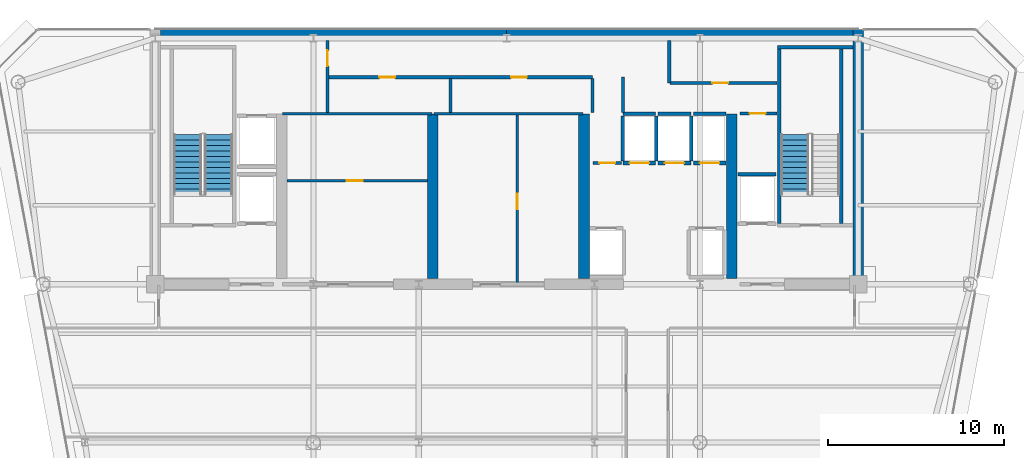
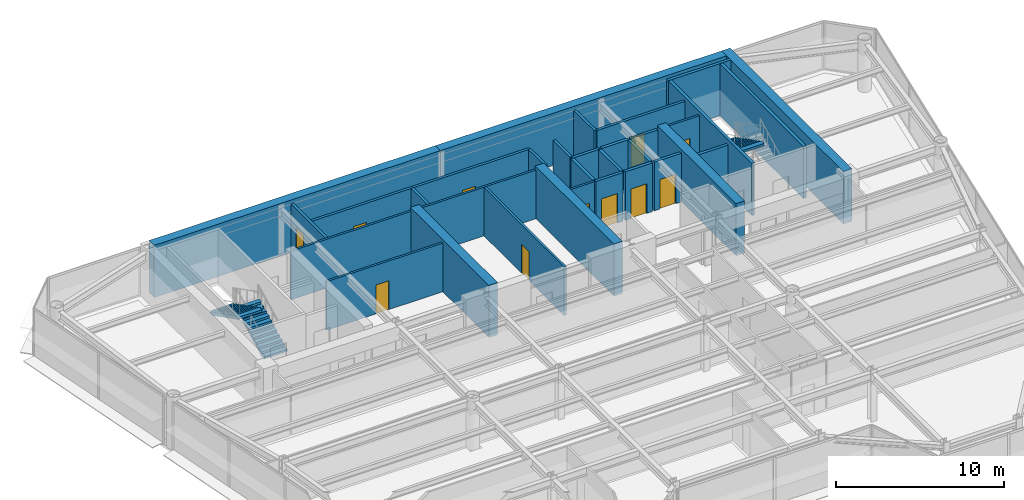
# One storey, part 12 of 17: 32 walls, 11 doors, 3 stair flights, 11 openings, 2 elements without a shape of their own.
"""IFC4 building model written with IfcOpenShell, lengths in metres."""

from ifc_helpers import new_model, si_unit, direction, frame, frame_2d, origin, place, context, subcontext, project, spatial, polyline, rectangle, outline, extrude, source, transform, mapped, material, layer, layer_set, type_object, element, fill, aggregate, save


model = new_model("IFC4")

# Units and contexts
model_context = context("Model", 3, precision=1e-05, world=origin(), true_north=direction((0.0, 1.0)))
body_context = subcontext(model_context, "Body", "Model", "MODEL_VIEW")
ifc_project = project(units=[si_unit("LENGTHUNIT", "METRE"), si_unit("AREAUNIT", "SQUARE_METRE"), si_unit("VOLUMEUNIT", "CUBIC_METRE"), si_unit("PLANEANGLEUNIT", "RADIAN"), si_unit("MASSUNIT", "GRAM", prefix="KILO")], contexts=[model_context])

# Site, building, storey
site_placement = place(None, origin())
site = spatial("IfcSite", under=ifc_project, at=site_placement, CompositionType="ELEMENT")
building_placement = place(site_placement, origin())
building = spatial("IfcBuilding", under=site, at=building_placement, Name="Vaeldorn Concourse Tower", CompositionType="ELEMENT")
storey_placement = place(building_placement, frame((0.0, 0.0, 214.60009765625)))
storey = spatial("IfcBuildingStorey", under=building, at=storey_placement, Name="L55", CompositionType="ELEMENT", Elevation=214.60009765625)

# Walls
ifc_material_1 = material(Name="Concrete C50/60", Category="concrete")
ifc_layer_1 = layer(ifc_material_1, 0.60009765625)
ifc_layer_set_1 = layer_set([ifc_layer_1], Name="Concrete C50/60")
wall_type_1 = type_object("IfcWallType", Name="WL-CORE-600", PredefinedType="SHEAR", material=ifc_layer_set_1)
for number, where, z_axis, x_axis, name in (
    (1, (14.303955078125, 50.699951171875, 0.0), (0.0, 0.0, 1.0), (1.0, 0.0, 0.0), "Rear Core Shear Wall L55 N1"),
    (2, (34.001953125, 50.699951171875, 0.0), (0.0, 0.0, 1.0), (1.0, 0.0, 0.0), "Rear Core Shear Wall L55 N2"),
):
    element("IfcWall", number, at=place(storey_placement, frame(where, z_axis=z_axis, x_axis=x_axis)), inside=storey, type_object=wall_type_1, Name=name, PredefinedType="SHEAR", context=body_context, shape_type="SweptSolid", body=[
        extrude(rectangle(XDim=19.694091796875, YDim=0.60009765625, at=frame_2d((9.84716796875, 0.0))), origin(), (0.0, 0.0, 1.0), 3.7998046875),
    ])
wall_1_placement = place(storey_placement, frame((54.0, 36.5, 0.0), z_axis=(0.0, 0.0, 1.0), x_axis=(0.0, 1.0, 0.0)))
element("IfcWall", 3, at=wall_1_placement, inside=storey, type_object=wall_type_1, Name="Rear Core Shear Wall L55 E1", PredefinedType="SHEAR", context=body_context, shape_type="SweptSolid", body=[
    extrude(rectangle(XDim=14.5, YDim=0.60009765625, at=frame_2d((7.25, 0.0))), origin(), (0.0, 0.0, 1.0), 3.7998046875),
])
for number, where, z_axis, x_axis, name in (
    (4, (29.800048828125, 36.820068359375, 0.0), (0.0, 0.0, 1.0), (0.0, 1.0, 0.0), "Rear Core Shear Wall L55 M2"),
    (5, (38.39990234375, 36.820068359375, 0.0), (0.0, 0.0, 1.0), (0.0, 1.0, 0.0), "Rear Core Shear Wall L55 M3"),
    (6, (46.800048828125, 36.820068359375, 0.0), (0.0, 0.0, 1.0), (0.0, 1.0, 0.0), "Rear Core Shear Wall L55 M4"),
):
    element("IfcWall", number, at=place(storey_placement, frame(where, z_axis=z_axis, x_axis=x_axis)), inside=storey, type_object=wall_type_1, Name=name, PredefinedType="SHEAR", context=body_context, shape_type="SweptSolid", body=[
        extrude(rectangle(XDim=9.3798828125, YDim=0.60009765625, at=frame_2d((4.68994140625, 0.0))), origin(), (0.0, 0.0, 1.0), 3.7998046875),
    ])
ifc_material_2 = material(Name="Gypsum Board Partition", Category="gypsum")
ifc_layer_2 = layer(ifc_material_2, 0.14990234375)
ifc_layer_set_2 = layer_set([ifc_layer_2], Name="Gypsum Board Partition")
wall_type_2 = type_object("IfcWallType", Name="WL-PART-150", PredefinedType="PARTITIONING", material=ifc_layer_set_2)
wall_2_placement = place(storey_placement, frame((21.25, 46.199951171875, 0.0), z_axis=(0.0, 0.0, 1.0), x_axis=(1.0, 0.0, 0.0)))
element("IfcWall", 7, at=wall_2_placement, inside=storey, type_object=wall_type_2, Name="Interior Wall CW-L55-R1N", PredefinedType="PARTITIONING", context=body_context, shape_type="SweptSolid", body=[
    extrude(rectangle(XDim=8.5, YDim=0.14990234375, at=frame_2d((4.25, 0.0))), origin(), (0.0, 0.0, 1.0), 3.539794921875),
])

# Wall, opening, door
wall_3_placement = place(storey_placement, frame((21.5, 42.39990234375, 0.0), z_axis=(0.0, 0.0, 1.0), x_axis=(1.0, 0.0, 0.0)))
wall_3 = element("IfcWall", 8, at=wall_3_placement, inside=storey, type_object=wall_type_2, Name="Interior Wall CW-L55-R1M", PredefinedType="PARTITIONING", context=body_context, shape_type="SweptSolid", body=[
    extrude(rectangle(XDim=8.0, YDim=0.14990234375, at=frame_2d((4.0, 0.0))), origin(), (0.0, 0.0, 1.0), 3.539794921875),
])
opening_1_placement = place(wall_3_placement, frame((3.39990234375, 0.0, 0.0)))
opening_1 = element("IfcOpeningElement", 9, at=opening_1_placement, cuts=wall_3, Name="Opening D-02", PredefinedType="OPENING", context=body_context, shape_type="SweptSolid", body=[
    extrude(rectangle(XDim=0.89990234375, YDim=2.10009765625, at=frame_2d((0.449951171875, 1.050048828125))), frame((0.0, 0.0849609375, 0.0), z_axis=(0.0, -1.0, 0.0), x_axis=(1.0, 0.0, 0.0)), (0.0, 0.0, 1.0), 0.169921875),
])
ifc_material_3 = material(Name="Fire-Rated Timber Leaf", Category="wood")
door_type_1 = type_object("IfcDoorType", Name="DR-FD30-900", OperationType="NOTDEFINED", PredefinedType="DOOR", material=ifc_material_3)
shared_shape_1 = source(origin(), body_context, "Body", "SweptSolid", [
    extrude(rectangle(XDim=0.89990234375, YDim=2.10009765625, at=frame_2d((0.449951171875, 1.050048828125))), frame((0.0, 0.02490234375, 0.0), z_axis=(0.0, -1.0, 0.0), x_axis=(1.0, 0.0, 0.0)), (0.0, 0.0, 1.0), 0.050048828125),
])
door_1_placement = place(opening_1_placement, origin())
door_1 = element("IfcDoor", 10, at=door_1_placement, inside=storey, type_object=door_type_1, Name="Interior Door DR-L55-R1M", OperationType="SINGLE_SWING_RIGHT", OverallHeight=2.10009765625, OverallWidth=0.89990234375, PredefinedType="DOOR", context=body_context, shape_type="MappedRepresentation", body=[
    mapped(shared_shape_1, transform((0.0, 0.0, 0.0), scale=1.0)),
])
fill(opening_1, door_1)

# Wall
wall_4_placement = place(storey_placement, frame((29.85009765625, 46.199951171875, 0.0), z_axis=(0.0, 0.0, 1.0), x_axis=(1.0, 0.0, 0.0)))
element("IfcWall", 11, at=wall_4_placement, inside=storey, type_object=wall_type_2, Name="Interior Wall CW-L55-R2N", PredefinedType="PARTITIONING", context=body_context, shape_type="SweptSolid", body=[
    extrude(rectangle(XDim=8.5, YDim=0.14990234375, at=frame_2d((4.25, 0.0))), origin(), (0.0, 0.0, 1.0), 3.539794921875),
])

# Wall, opening, door
wall_5_placement = place(storey_placement, frame((34.60009765625, 36.56005859375, 0.0), z_axis=(0.0, 0.0, 1.0), x_axis=(0.0, 1.0, 0.0)))
wall_5 = element("IfcWall", 12, at=wall_5_placement, inside=storey, type_object=wall_type_2, Name="Interior Wall CW-L55-R2M", PredefinedType="PARTITIONING", context=body_context, shape_type="SweptSolid", body=[
    extrude(rectangle(XDim=9.579833984375, YDim=0.14990234375, at=frame_2d((4.7900390625, 0.0))), origin(), (0.0, 0.0, 1.0), 3.539794921875),
])
opening_2_placement = place(wall_5_placement, frame((4.199951171875, 0.0, 0.0)))
opening_2 = element("IfcOpeningElement", 13, at=opening_2_placement, cuts=wall_5, Name="Opening D-02", PredefinedType="OPENING", context=body_context, shape_type="SweptSolid", body=[
    extrude(rectangle(XDim=0.89990234375, YDim=2.10009765625, at=frame_2d((0.449951171875, 1.050048828125))), frame((0.0, 0.0849609375, 0.0), z_axis=(0.0, -1.0, 0.0), x_axis=(1.0, 0.0, 0.0)), (0.0, 0.0, 1.0), 0.169921875),
])
door_2_placement = place(opening_2_placement, origin())
door_2 = element("IfcDoor", 14, at=door_2_placement, inside=storey, type_object=door_type_1, Name="Interior Door DR-L55-R2E", OperationType="SINGLE_SWING_RIGHT", OverallHeight=2.10009765625, OverallWidth=0.89990234375, PredefinedType="DOOR", context=body_context, shape_type="MappedRepresentation", body=[
    mapped(shared_shape_1, transform((0.0, 0.0, 0.0), scale=1.0)),
])
fill(opening_2, door_2)

wall_6_placement = place(storey_placement, frame((47.280029296875, 46.219970703125, 0.0), z_axis=(0.0, 0.0, 1.0), x_axis=(1.0, 0.0, 0.0)))
wall_6 = element("IfcWall", 15, at=wall_6_placement, inside=storey, type_object=wall_type_2, Name="Interior Wall CW-L55-CRSE-N", PredefinedType="PARTITIONING", context=body_context, shape_type="SweptSolid", body=[
    extrude(rectangle(XDim=2.099853515625, YDim=0.14990234375, at=frame_2d((1.0498046875, 0.0))), origin(), (0.0, 0.0, 1.0), 3.539794921875),
])
opening_3_placement = place(wall_6_placement, frame((0.550048828125, 0.0, 0.0)))
opening_3 = element("IfcOpeningElement", 16, at=opening_3_placement, cuts=wall_6, Name="Opening D-02", PredefinedType="OPENING", context=body_context, shape_type="SweptSolid", body=[
    extrude(rectangle(XDim=0.89990234375, YDim=2.10009765625, at=frame_2d((0.449951171875, 1.050048828125))), frame((0.0, 0.0849609375, 0.0), z_axis=(0.0, -1.0, 0.0), x_axis=(1.0, 0.0, 0.0)), (0.0, 0.0, 1.0), 0.169921875),
])
door_3_placement = place(opening_3_placement, origin())
door_3 = element("IfcDoor", 17, at=door_3_placement, inside=storey, type_object=door_type_1, Name="Interior Door DR-L55-CRSE", OperationType="SINGLE_SWING_RIGHT", OverallHeight=2.10009765625, OverallWidth=0.89990234375, PredefinedType="DOOR", context=body_context, shape_type="MappedRepresentation", body=[
    mapped(shared_shape_1, transform((0.0, 0.0, 0.0), scale=1.0)),
])
fill(opening_3, door_3)

wall_7_placement = place(storey_placement, frame((38.919921875, 43.39990234375, 0.0), z_axis=(0.0, 0.0, 1.0), x_axis=(1.0, 0.0, 0.0)))
wall_7 = element("IfcWall", 18, at=wall_7_placement, inside=storey, type_object=wall_type_2, Name="Interior Wall CW-L55-CCLINK", PredefinedType="PARTITIONING", context=body_context, shape_type="SweptSolid", body=[
    extrude(rectangle(XDim=1.60009765625, YDim=0.14990234375, at=frame_2d((0.800048828125, 0.0))), origin(), (0.0, 0.0, 1.0), 3.539794921875),
])
opening_4_placement = place(wall_7_placement, frame((0.35009765625, 0.0, 0.0)))
opening_4 = element("IfcOpeningElement", 19, at=opening_4_placement, cuts=wall_7, Name="Opening D-02", PredefinedType="OPENING", context=body_context, shape_type="SweptSolid", body=[
    extrude(rectangle(XDim=0.89990234375, YDim=2.10009765625, at=frame_2d((0.449951171875, 1.050048828125))), frame((0.0, 0.0849609375, 0.0), z_axis=(0.0, -1.0, 0.0), x_axis=(1.0, 0.0, 0.0)), (0.0, 0.0, 1.0), 0.169921875),
])
door_4_placement = place(opening_4_placement, origin())
door_4 = element("IfcDoor", 20, at=door_4_placement, inside=storey, type_object=door_type_1, Name="Interior Door DR-L55-CCLINK", OperationType="SINGLE_SWING_LEFT", OverallHeight=2.10009765625, OverallWidth=0.89990234375, PredefinedType="DOOR", context=body_context, shape_type="MappedRepresentation", body=[
    mapped(shared_shape_1, transform((0.0, 0.0, 0.0), scale=1.0)),
])
fill(opening_4, door_4)

# Wall, openings, doors
ifc_layer_3 = layer(ifc_material_2, 0.179931640625)
ifc_layer_set_3 = layer_set([ifc_layer_3], Name="Gypsum Board Partition")
wall_type_3 = type_object("IfcWallType", Name="WL-PLUMB-180", PredefinedType="PLUMBINGWALL", material=ifc_layer_set_3)
wall_8_placement = place(storey_placement, frame((23.85009765625, 48.280029296875, 0.0), z_axis=(0.0, 0.0, 1.0), x_axis=(1.0, 0.0, 0.0)))
wall_8 = element("IfcWall", 21, at=wall_8_placement, inside=storey, type_object=wall_type_3, Name="Interior Wall CW-L55-NS2W", PredefinedType="PLUMBINGWALL", context=body_context, shape_type="SweptSolid", body=[
    extrude(rectangle(XDim=15.02978515625, YDim=0.179931640625, at=frame_2d((7.514892578125, 0.0))), origin(), (0.0, 0.0, 1.0), 3.539794921875),
])
opening_5_placement = place(wall_8_placement, frame((2.89990234375, 0.0, 0.0)))
opening_5 = element("IfcOpeningElement", 22, at=opening_5_placement, cuts=wall_8, Name="Opening D-03", PredefinedType="OPENING", context=body_context, shape_type="SweptSolid", body=[
    extrude(rectangle(XDim=0.89990234375, YDim=2.14990234375, at=frame_2d((0.449951171875, 1.074951171875))), frame((0.0, 0.10009765625, 0.0), z_axis=(0.0, -1.0, 0.0), x_axis=(1.0, 0.0, 0.0)), (0.0, 0.0, 1.0), 0.199951171875),
])
opening_6_placement = place(wall_8_placement, frame((10.39990234375, 0.0, 0.0)))
opening_6 = element("IfcOpeningElement", 23, at=opening_6_placement, cuts=wall_8, Name="Opening D-03", PredefinedType="OPENING", context=body_context, shape_type="SweptSolid", body=[
    extrude(rectangle(XDim=0.89990234375, YDim=2.14990234375, at=frame_2d((0.449951171875, 1.074951171875))), frame((0.0, 0.10009765625, 0.0), z_axis=(0.0, -1.0, 0.0), x_axis=(1.0, 0.0, 0.0)), (0.0, 0.0, 1.0), 0.199951171875),
])
ifc_material_4 = material(Name="Acoustic Bronze-Framed Glass Door", Category="glass")
door_type_2 = type_object("IfcDoorType", Name="DR-INT-900", OperationType="NOTDEFINED", PredefinedType="DOOR", material=ifc_material_4)
shared_shape_2 = source(origin(), body_context, "Body", "SweptSolid", [
    extrude(rectangle(XDim=0.89990234375, YDim=2.14990234375, at=frame_2d((0.449951171875, 1.074951171875))), frame((0.0, 0.02490234375, 0.0), z_axis=(0.0, -1.0, 0.0), x_axis=(1.0, 0.0, 0.0)), (0.0, 0.0, 1.0), 0.050048828125),
])
door_5_placement = place(opening_5_placement, origin())
door_5 = element("IfcDoor", 24, at=door_5_placement, inside=storey, type_object=door_type_2, Name="Interior Door DR-L55-CS2", OperationType="SINGLE_SWING_RIGHT", OverallHeight=2.14990234375, OverallWidth=0.89990234375, PredefinedType="DOOR", context=body_context, shape_type="MappedRepresentation", body=[
    mapped(shared_shape_2, transform((0.0, 0.0, 0.0), scale=1.0)),
])
fill(opening_5, door_5)
door_6_placement = place(opening_6_placement, origin())
door_6 = element("IfcDoor", 25, at=door_6_placement, inside=storey, type_object=door_type_2, Name="Interior Door DR-L55-CS3", OperationType="SINGLE_SWING_LEFT", OverallHeight=2.14990234375, OverallWidth=0.89990234375, PredefinedType="DOOR", context=body_context, shape_type="MappedRepresentation", body=[
    mapped(shared_shape_2, transform((0.0, 0.0, 0.0), scale=1.0)),
])
fill(opening_6, door_6)

# Wall, opening, door
wall_9_placement = place(storey_placement, frame((23.800048828125, 46.280029296875, 0.0), z_axis=(0.0, 0.0, 1.0), x_axis=(0.0, 1.0, 0.0)))
wall_9 = element("IfcWall", 26, at=wall_9_placement, inside=storey, type_object=wall_type_3, Name="Interior Wall CW-L55-SDIV1", PredefinedType="PLUMBINGWALL", context=body_context, shape_type="SweptSolid", body=[
    extrude(rectangle(XDim=4.099853515625, YDim=0.179931640625, at=frame_2d((2.0498046875, 0.0))), origin(), (0.0, 0.0, 1.0), 3.539794921875),
])
opening_7_placement = place(wall_9_placement, frame((2.635009765625, 0.0, 0.0)))
opening_7 = element("IfcOpeningElement", 27, at=opening_7_placement, cuts=wall_9, Name="Opening D-03", PredefinedType="OPENING", context=body_context, shape_type="SweptSolid", body=[
    extrude(rectangle(XDim=0.89990234375, YDim=2.14990234375, at=frame_2d((0.449951171875, 1.074951171875))), frame((0.0, 0.10009765625, 0.0), z_axis=(0.0, -1.0, 0.0), x_axis=(1.0, 0.0, 0.0)), (0.0, 0.0, 1.0), 0.199951171875),
])
door_7_placement = place(opening_7_placement, origin())
door_7 = element("IfcDoor", 28, at=door_7_placement, inside=storey, type_object=door_type_2, Name="Interior Door DR-L55-CS1", OperationType="SINGLE_SWING_LEFT", OverallHeight=2.14990234375, OverallWidth=0.89990234375, PredefinedType="DOOR", context=body_context, shape_type="MappedRepresentation", body=[
    mapped(shared_shape_2, transform((0.0, 0.0, 0.0), scale=1.0)),
])
fill(opening_7, door_7)

# Walls
for number, where, z_axis, x_axis, name in (
    (29, (30.800048828125, 46.280029296875, 0.0), (0.0, 0.0, 1.0), (0.0, 1.0, 0.0), "Interior Wall CW-L55-SDIV2"),
    (30, (38.8798828125, 46.280029296875, 0.0), (0.0, 0.0, 1.0), (0.0, 1.0, 0.0), "Interior Wall CW-L55-SDIV4"),
):
    element("IfcWall", number, at=place(storey_placement, frame(where, z_axis=z_axis, x_axis=x_axis)), inside=storey, type_object=wall_type_3, Name=name, PredefinedType="PLUMBINGWALL", context=body_context, shape_type="SweptSolid", body=[
        extrude(rectangle(XDim=1.93994140625, YDim=0.179931640625, at=frame_2d((0.969970703125, 0.0))), origin(), (0.0, 0.0, 1.0), 3.539794921875),
    ])
wall_10_placement = place(storey_placement, frame((40.6201171875, 46.280029296875, 0.0), z_axis=(0.0, 0.0, 1.0), x_axis=(0.0, 1.0, 0.0)))
element("IfcWall", 31, at=wall_10_placement, inside=storey, type_object=wall_type_3, Name="Interior Wall CW-L55-SDIV5", PredefinedType="PLUMBINGWALL", context=body_context, shape_type="SweptSolid", body=[
    extrude(rectangle(XDim=2.0, YDim=0.179931640625, at=frame_2d((1.0, 0.0))), origin(), (0.0, 0.0, 1.0), 3.539794921875),
])
wall_11_placement = place(storey_placement, frame((43.25, 47.949951171875, 0.0), z_axis=(0.0, 0.0, 1.0), x_axis=(0.0, 1.0, 0.0)))
element("IfcWall", 32, at=wall_11_placement, inside=storey, type_object=wall_type_3, Name="Interior Wall CW-L55-SDIV6", PredefinedType="PLUMBINGWALL", context=body_context, shape_type="SweptSolid", body=[
    extrude(rectangle(XDim=2.429931640625, YDim=0.179931640625, at=frame_2d((1.21484375, 0.0))), origin(), (0.0, 0.0, 1.0), 3.539794921875),
])

# Wall, opening, door
wall_12_placement = place(storey_placement, frame((43.300048828125, 47.949951171875, 0.0), z_axis=(0.0, 0.0, 1.0), x_axis=(1.0, 0.0, 0.0)))
wall_12 = element("IfcWall", 33, at=wall_12_placement, inside=storey, type_object=wall_type_3, Name="Interior Wall CW-L55-NS2EE", PredefinedType="PLUMBINGWALL", context=body_context, shape_type="SweptSolid", body=[
    extrude(rectangle(XDim=6.079833984375, YDim=0.179931640625, at=frame_2d((3.0400390625, 0.0))), origin(), (0.0, 0.0, 1.0), 3.539794921875),
])
opening_8_placement = place(wall_12_placement, frame((2.39990234375, 0.0, 0.0)))
opening_8 = element("IfcOpeningElement", 34, at=opening_8_placement, cuts=wall_12, Name="Opening D-03", PredefinedType="OPENING", context=body_context, shape_type="SweptSolid", body=[
    extrude(rectangle(XDim=0.89990234375, YDim=2.14990234375, at=frame_2d((0.449951171875, 1.074951171875))), frame((0.0, 0.10009765625, 0.0), z_axis=(0.0, -1.0, 0.0), x_axis=(1.0, 0.0, 0.0)), (0.0, 0.0, 1.0), 0.199951171875),
])
door_8_placement = place(opening_8_placement, origin())
door_8 = element("IfcDoor", 35, at=door_8_placement, inside=storey, type_object=door_type_2, Name="Interior Door DR-L55-CS5", OperationType="SINGLE_SWING_RIGHT", OverallHeight=2.14990234375, OverallWidth=0.89990234375, PredefinedType="DOOR", context=body_context, shape_type="MappedRepresentation", body=[
    mapped(shared_shape_2, transform((0.0, 0.0, 0.0), scale=1.0)),
])
fill(opening_8, door_8)

# Walls
ifc_layer_4 = layer(ifc_material_1, 0.199951171875)
ifc_layer_set_4 = layer_set([ifc_layer_4], Name="Concrete C50/60")
wall_type_4 = type_object("IfcWallType", Name="WL-SHAFT-200", PredefinedType="SOLIDWALL", material=ifc_layer_set_4)
wall_13_placement = place(storey_placement, frame((49.39990234375, 50.0, 0.0), z_axis=(0.0, 0.0, 1.0), x_axis=(1.0, 0.0, 0.0)))
element("IfcWall", 36, at=wall_13_placement, inside=storey, type_object=wall_type_4, Name="Stair Shaft Wall CW-L55-ST-2-N", PredefinedType="SOLIDWALL", context=body_context, shape_type="SweptSolid", body=[
    extrude(rectangle(XDim=4.300048828125, YDim=0.199951171875, at=frame_2d((2.14990234375, 0.0))), origin(), (0.0, 0.0, 1.0), 3.7998046875),
])
for number, where, z_axis, x_axis, name in (
    (37, (49.5, 39.9599609375, 0.0), (0.0, 0.0, 1.0), (0.0, 1.0, 0.0), "Stair Shaft Wall CW-L55-ST-2-W"),
    (38, (53.050048828125, 39.9599609375, 0.0), (0.0, 0.0, 1.0), (0.0, 1.0, 0.0), "Stair Shaft Wall CW-L55-ST-2-E"),
):
    element("IfcWall", number, at=place(storey_placement, frame(where, z_axis=z_axis, x_axis=x_axis)), inside=storey, type_object=wall_type_4, Name=name, PredefinedType="SOLIDWALL", context=body_context, shape_type="SweptSolid", body=[
        extrude(rectangle(XDim=9.929931640625, YDim=0.199951171875, at=frame_2d((4.96484375, 0.0))), origin(), (0.0, 0.0, 1.0), 3.7998046875),
    ])

# Wall, opening, door
wall_14_placement = place(storey_placement, frame((40.6201171875, 43.39990234375, 0.0), z_axis=(0.0, 0.0, 1.0), x_axis=(1.0, 0.0, 0.0)))
wall_14 = element("IfcWall", 39, at=wall_14_placement, inside=storey, type_object=wall_type_4, Name="Interior Wall CW-L55-LF-LF-15", PredefinedType="SOLIDWALL", context=body_context, shape_type="SweptSolid", body=[
    extrude(rectangle(XDim=1.85986328125, YDim=0.199951171875, at=frame_2d((0.929931640625, 0.0))), origin(), (0.0, 0.0, 1.0), 3.539794921875),
])
opening_9_placement = place(wall_14_placement, frame((0.3798828125, 0.0, 0.0)))
opening_9 = element("IfcOpeningElement", 40, at=opening_9_placement, cuts=wall_14, Name="Opening LD-1", PredefinedType="OPENING", context=body_context, shape_type="SweptSolid", body=[
    extrude(rectangle(XDim=1.10009765625, YDim=2.14990234375, at=frame_2d((0.550048828125, 1.074951171875))), frame((0.0, 0.10986328125, 0.0), z_axis=(0.0, -1.0, 0.0), x_axis=(1.0, 0.0, 0.0)), (0.0, 0.0, 1.0), 0.219970703125),
])
ifc_material_5 = material(Name="Anodised Bronze Aluminium", Category="aluminium")
door_type_3 = type_object("IfcDoorType", Name="DR-LIFT-SLIDE-1100", OperationType="DOUBLE_DOOR_SLIDING", PredefinedType="DOOR", material=ifc_material_5)
shared_shape_3 = source(origin(), body_context, "Body", "SweptSolid", [
    extrude(rectangle(XDim=1.10009765625, YDim=2.14990234375, at=frame_2d((0.550048828125, 1.074951171875))), frame((0.0, 0.02490234375, 0.0), z_axis=(0.0, -1.0, 0.0), x_axis=(1.0, 0.0, 0.0)), (0.0, 0.0, 1.0), 0.050048828125),
])
door_9_placement = place(opening_9_placement, origin())
door_9 = element("IfcDoor", 41, at=door_9_placement, inside=storey, type_object=door_type_3, Name="Lift Landing Door LD-L55-LF-15", OperationType="DOUBLE_DOOR_SLIDING", OverallHeight=2.14990234375, OverallWidth=1.10009765625, PredefinedType="DOOR", context=body_context, shape_type="MappedRepresentation", body=[
    mapped(shared_shape_3, transform((0.0, 0.0, 0.0), scale=1.0)),
])
fill(opening_9, door_9)

# Walls
wall_15_placement = place(storey_placement, frame((40.6201171875, 46.199951171875, 0.0), z_axis=(0.0, 0.0, 1.0), x_axis=(1.0, 0.0, 0.0)))
element("IfcWall", 42, at=wall_15_placement, inside=storey, type_object=wall_type_4, Name="Interior Wall CW-L55-LFB-LF-15", PredefinedType="SOLIDWALL", context=body_context, shape_type="SweptSolid", body=[
    extrude(rectangle(XDim=1.85986328125, YDim=0.199951171875, at=frame_2d((0.929931640625, 0.0))), origin(), (0.0, 0.0, 1.0), 3.539794921875),
])
for number, where, z_axis, x_axis, name in (
    (43, (40.60009765625, 43.52001953125, 0.0), (0.0, 0.0, 1.0), (0.0, 1.0, 0.0), "Interior Wall CW-L55-LFW-LF-15"),
    (44, (42.5, 43.52001953125, 0.0), (0.0, 0.0, 1.0), (0.0, 1.0, 0.0), "Interior Wall CW-L55-LFE-LF-15"),
):
    element("IfcWall", number, at=place(storey_placement, frame(where, z_axis=z_axis, x_axis=x_axis)), inside=storey, type_object=wall_type_4, Name=name, PredefinedType="SOLIDWALL", context=body_context, shape_type="SweptSolid", body=[
        extrude(rectangle(XDim=2.56005859375, YDim=0.199951171875, at=frame_2d((1.280029296875, 0.0))), origin(), (0.0, 0.0, 1.0), 3.539794921875),
    ])

# Wall, opening, door
wall_16_placement = place(storey_placement, frame((42.6201171875, 43.39990234375, 0.0), z_axis=(0.0, 0.0, 1.0), x_axis=(1.0, 0.0, 0.0)))
wall_16 = element("IfcWall", 45, at=wall_16_placement, inside=storey, type_object=wall_type_4, Name="Interior Wall CW-L55-LF-LF-16", PredefinedType="SOLIDWALL", context=body_context, shape_type="SweptSolid", body=[
    extrude(rectangle(XDim=1.85986328125, YDim=0.199951171875, at=frame_2d((0.929931640625, 0.0))), origin(), (0.0, 0.0, 1.0), 3.539794921875),
])
opening_10_placement = place(wall_16_placement, frame((0.3798828125, 0.0, 0.0)))
opening_10 = element("IfcOpeningElement", 46, at=opening_10_placement, cuts=wall_16, Name="Opening LD-1", PredefinedType="OPENING", context=body_context, shape_type="SweptSolid", body=[
    extrude(rectangle(XDim=1.10009765625, YDim=2.14990234375, at=frame_2d((0.550048828125, 1.074951171875))), frame((0.0, 0.10986328125, 0.0), z_axis=(0.0, -1.0, 0.0), x_axis=(1.0, 0.0, 0.0)), (0.0, 0.0, 1.0), 0.219970703125),
])
door_10_placement = place(opening_10_placement, origin())
door_10 = element("IfcDoor", 47, at=door_10_placement, inside=storey, type_object=door_type_3, Name="Lift Landing Door LD-L55-LF-16", OperationType="DOUBLE_DOOR_SLIDING", OverallHeight=2.14990234375, OverallWidth=1.10009765625, PredefinedType="DOOR", context=body_context, shape_type="MappedRepresentation", body=[
    mapped(shared_shape_3, transform((0.0, 0.0, 0.0), scale=1.0)),
])
fill(opening_10, door_10)

# Walls
wall_17_placement = place(storey_placement, frame((42.6201171875, 46.199951171875, 0.0), z_axis=(0.0, 0.0, 1.0), x_axis=(1.0, 0.0, 0.0)))
element("IfcWall", 48, at=wall_17_placement, inside=storey, type_object=wall_type_4, Name="Interior Wall CW-L55-LFB-LF-16", PredefinedType="SOLIDWALL", context=body_context, shape_type="SweptSolid", body=[
    extrude(rectangle(XDim=1.85986328125, YDim=0.199951171875, at=frame_2d((0.929931640625, 0.0))), origin(), (0.0, 0.0, 1.0), 3.539794921875),
])
wall_18_placement = place(storey_placement, frame((44.5, 43.52001953125, 0.0), z_axis=(0.0, 0.0, 1.0), x_axis=(0.0, 1.0, 0.0)))
element("IfcWall", 49, at=wall_18_placement, inside=storey, type_object=wall_type_4, Name="Interior Wall CW-L55-LFE-LF-16", PredefinedType="SOLIDWALL", context=body_context, shape_type="SweptSolid", body=[
    extrude(rectangle(XDim=2.56005859375, YDim=0.199951171875, at=frame_2d((1.280029296875, 0.0))), origin(), (0.0, 0.0, 1.0), 3.539794921875),
])

# Wall, opening, door
wall_19_placement = place(storey_placement, frame((44.6201171875, 43.39990234375, 0.0), z_axis=(0.0, 0.0, 1.0), x_axis=(1.0, 0.0, 0.0)))
wall_19 = element("IfcWall", 50, at=wall_19_placement, inside=storey, type_object=wall_type_4, Name="Interior Wall CW-L55-LF-LF-17", PredefinedType="SOLIDWALL", context=body_context, shape_type="SweptSolid", body=[
    extrude(rectangle(XDim=1.85986328125, YDim=0.199951171875, at=frame_2d((0.929931640625, 0.0))), origin(), (0.0, 0.0, 1.0), 3.539794921875),
])
opening_11_placement = place(wall_19_placement, frame((0.3798828125, 0.0, 0.0)))
opening_11 = element("IfcOpeningElement", 51, at=opening_11_placement, cuts=wall_19, Name="Opening LD-1", PredefinedType="OPENING", context=body_context, shape_type="SweptSolid", body=[
    extrude(rectangle(XDim=1.10009765625, YDim=2.14990234375, at=frame_2d((0.550048828125, 1.074951171875))), frame((0.0, 0.10986328125, 0.0), z_axis=(0.0, -1.0, 0.0), x_axis=(1.0, 0.0, 0.0)), (0.0, 0.0, 1.0), 0.219970703125),
])
door_11_placement = place(opening_11_placement, origin())
door_11 = element("IfcDoor", 52, at=door_11_placement, inside=storey, type_object=door_type_3, Name="Lift Landing Door LD-L55-LF-17", OperationType="DOUBLE_DOOR_SLIDING", OverallHeight=2.14990234375, OverallWidth=1.10009765625, PredefinedType="DOOR", context=body_context, shape_type="MappedRepresentation", body=[
    mapped(shared_shape_3, transform((0.0, 0.0, 0.0), scale=1.0)),
])
fill(opening_11, door_11)

# Walls
wall_20_placement = place(storey_placement, frame((44.6201171875, 46.199951171875, 0.0), z_axis=(0.0, 0.0, 1.0), x_axis=(1.0, 0.0, 0.0)))
element("IfcWall", 53, at=wall_20_placement, inside=storey, type_object=wall_type_4, Name="Interior Wall CW-L55-LFB-LF-17", PredefinedType="SOLIDWALL", context=body_context, shape_type="SweptSolid", body=[
    extrude(rectangle(XDim=1.85986328125, YDim=0.199951171875, at=frame_2d((0.929931640625, 0.0))), origin(), (0.0, 0.0, 1.0), 3.539794921875),
])
wall_21_placement = place(storey_placement, frame((47.169921875, 42.75, 0.0), z_axis=(0.0, 0.0, 1.0), x_axis=(1.0, 0.0, 0.0)))
element("IfcWall", 54, at=wall_21_placement, inside=storey, type_object=wall_type_4, Name="Interior Wall CW-L55-LFB-LF-FF2", PredefinedType="SOLIDWALL", context=body_context, shape_type="SweptSolid", body=[
    extrude(rectangle(XDim=2.16015625, YDim=0.199951171875, at=frame_2d((1.080078125, 0.0))), origin(), (0.0, 0.0, 1.0), 3.539794921875),
])

# Stair, stair flights
ifc_material_6 = material(Name="Precast concrete C40/50", Category="concrete")
stair_type = type_object("IfcStairType", Name="STR-DOG-24x158", PredefinedType="HALF_TURN_STAIR", material=ifc_material_6)
stair_1_placement = place(storey_placement, origin())
stair_1 = element("IfcStair", 55, at=stair_1_placement, inside=storey, type_object=stair_type, Name="L55 West Core Exit Stair ST-1", PredefinedType="HALF_TURN_STAIR")
stair_flight_type = type_object("IfcStairFlightType", Name="STF-STR-12x158", PredefinedType="STRAIGHT", material=ifc_material_6)
stair_flight_1_placement = place(storey_placement, frame((17.60009765625, 41.60009765625, 0.0), z_axis=(0.0, 0.0, 1.0), x_axis=(0.0, 1.0, 0.0)))
stair_flight_1 = element("IfcStairFlight", 56, at=stair_flight_1_placement, type_object=stair_flight_type, Name="ST-1 flight 1", NumberOfRisers=12, NumberOfTreads=11, PredefinedType="STRAIGHT", RiserHeight=0.158333333, TreadLength=0.31, context=body_context, shape_type="SweptSolid", body=[
    extrude(outline(polyline([(0.0, 0.0), (0.0, 0.158447265625), (0.31005859375, 0.158447265625), (0.31005859375, 0.316650390625), (0.6201171875, 0.316650390625), (0.6201171875, 0.47509765625), (0.929931640625, 0.47509765625), (0.929931640625, 0.63330078125), (1.239990234375, 0.63330078125), (1.239990234375, 0.791748046875), (1.550048828125, 0.791748046875), (1.550048828125, 0.949951171875), (1.860107421875, 0.949951171875), (1.860107421875, 1.1083984375), (2.169921875, 1.1083984375), (2.169921875, 1.2666015625), (2.47998046875, 1.2666015625), (2.47998046875, 1.425048828125), (2.7900390625, 1.425048828125), (2.7900390625, 1.583251953125), (3.10009765625, 1.583251953125), (3.10009765625, 1.74169921875), (3.409912109375, 1.74169921875), (3.409912109375, 1.89990234375), (3.409912109375, 1.5732421875), (0.32958984375, 0.0), (0.0, 0.0)])), frame((0.0, 0.800048828125, 0.0), z_axis=(0.0, -1.0, 0.0), x_axis=(1.0, 0.0, 0.0)), (0.0, 0.0, 1.0), 1.60009765625),
])
stair_flight_2_placement = place(storey_placement, frame((15.85009765625, 45.010009765625, 1.89990234375), z_axis=(0.0, 0.0, 1.0), x_axis=(0.0, -1.0, 0.0)))
stair_flight_2 = element("IfcStairFlight", 57, at=stair_flight_2_placement, type_object=stair_flight_type, Name="ST-1 flight 2", NumberOfRisers=12, NumberOfTreads=11, PredefinedType="STRAIGHT", RiserHeight=0.158333333, TreadLength=0.31, context=body_context, shape_type="SweptSolid", body=[
    extrude(outline(polyline([(0.0, 0.0), (0.0, 0.158447265625), (0.31005859375, 0.158447265625), (0.31005859375, 0.316650390625), (0.6201171875, 0.316650390625), (0.6201171875, 0.47509765625), (0.929931640625, 0.47509765625), (0.929931640625, 0.63330078125), (1.239990234375, 0.63330078125), (1.239990234375, 0.791748046875), (1.550048828125, 0.791748046875), (1.550048828125, 0.949951171875), (1.860107421875, 0.949951171875), (1.860107421875, 1.1083984375), (2.169921875, 1.1083984375), (2.169921875, 1.2666015625), (2.47998046875, 1.2666015625), (2.47998046875, 1.425048828125), (2.7900390625, 1.425048828125), (2.7900390625, 1.583251953125), (3.10009765625, 1.583251953125), (3.10009765625, 1.74169921875), (3.409912109375, 1.74169921875), (3.409912109375, 1.89990234375), (3.409912109375, 1.5732421875), (0.32958984375, 0.0), (0.0, 0.0)])), frame((0.0, 0.800048828125, 0.0), z_axis=(0.0, -1.0, 0.0), x_axis=(1.0, 0.0, 0.0)), (0.0, 0.0, 1.0), 1.60009765625),
])
aggregate(stair_1, [stair_flight_1, stair_flight_2])

# Stair, stair flight
stair_2_placement = place(storey_placement, origin())
stair_2 = element("IfcStair", 58, at=stair_2_placement, inside=storey, type_object=stair_type, Name="L55 East Core Exit Stair ST-2", PredefinedType="HALF_TURN_STAIR")
stair_flight_3_placement = place(storey_placement, frame((50.39990234375, 45.010009765625, 1.89990234375), z_axis=(0.0, 0.0, 1.0), x_axis=(0.0, -1.0, 0.0)))
stair_flight_3 = element("IfcStairFlight", 59, at=stair_flight_3_placement, type_object=stair_flight_type, Name="ST-2 flight 2", NumberOfRisers=12, NumberOfTreads=11, PredefinedType="STRAIGHT", RiserHeight=0.158333333, TreadLength=0.31, context=body_context, shape_type="SweptSolid", body=[
    extrude(outline(polyline([(0.0, 0.0), (0.0, 0.158447265625), (0.31005859375, 0.158447265625), (0.31005859375, 0.316650390625), (0.6201171875, 0.316650390625), (0.6201171875, 0.47509765625), (0.929931640625, 0.47509765625), (0.929931640625, 0.63330078125), (1.239990234375, 0.63330078125), (1.239990234375, 0.791748046875), (1.550048828125, 0.791748046875), (1.550048828125, 0.949951171875), (1.860107421875, 0.949951171875), (1.860107421875, 1.1083984375), (2.169921875, 1.1083984375), (2.169921875, 1.2666015625), (2.47998046875, 1.2666015625), (2.47998046875, 1.425048828125), (2.7900390625, 1.425048828125), (2.7900390625, 1.583251953125), (3.10009765625, 1.583251953125), (3.10009765625, 1.74169921875), (3.409912109375, 1.74169921875), (3.409912109375, 1.89990234375), (3.409912109375, 1.5732421875), (0.32958984375, 0.0), (0.0, 0.0)])), frame((0.0, 0.800048828125, 0.0), z_axis=(0.0, -1.0, 0.0), x_axis=(1.0, 0.0, 0.0)), (0.0, 0.0, 1.0), 1.60009765625),
])
aggregate(stair_2, [stair_flight_3])

save(model, "model.ifc")
